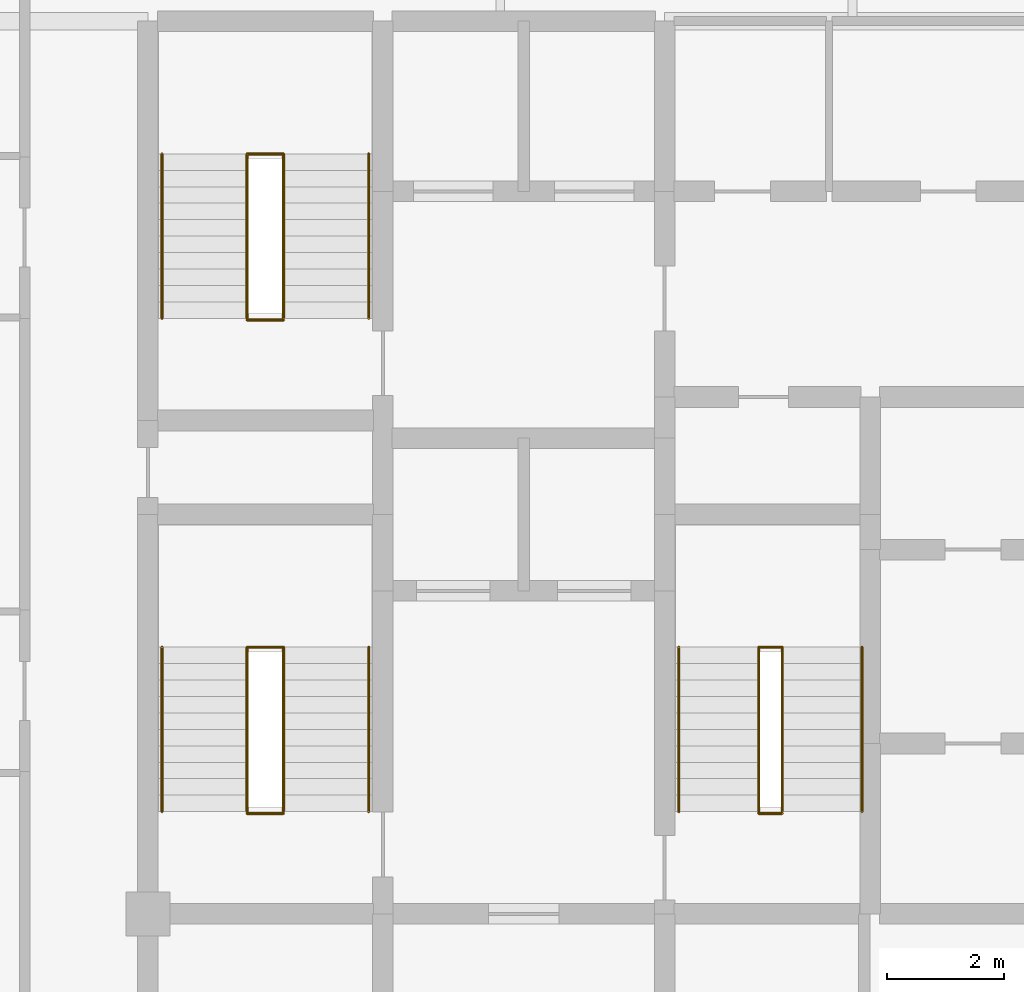
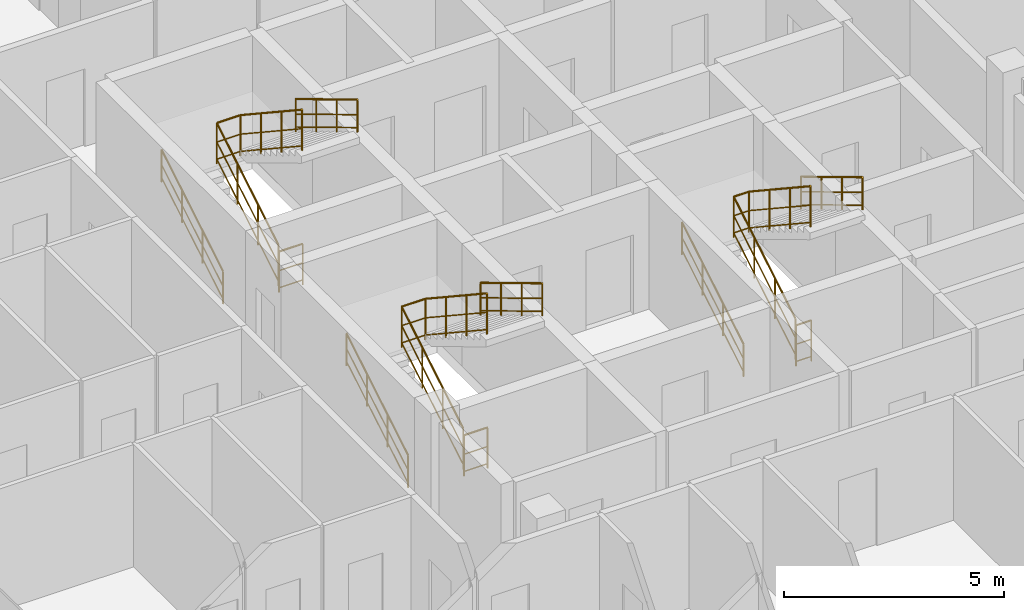
# One storey, part 29 of 29: 12 railings.
"""IFC4 building model written with IfcOpenShell, lengths in metres."""

from ifc_helpers import new_model, si_unit, direction, frame, origin, origin_2d, place, context, subcontext, project, spatial, circle, extrude, material, layer, layer_set, type_object, element, save


model = new_model("IFC4")

# Units and contexts
model_context = context("Model", 3, precision=1e-05, world=origin(), true_north=direction((0.0, 1.0)))
body_context = subcontext(model_context, "Body", "Model", "MODEL_VIEW")
ifc_project = project(units=[si_unit("LENGTHUNIT", "METRE"), si_unit("AREAUNIT", "SQUARE_METRE"), si_unit("VOLUMEUNIT", "CUBIC_METRE"), si_unit("PLANEANGLEUNIT", "RADIAN"), si_unit("MASSUNIT", "GRAM", prefix="KILO")], contexts=[model_context])

# Site, building, storey
site_placement = place(None, origin())
site = spatial("IfcSite", under=ifc_project, at=site_placement, CompositionType="ELEMENT")
building_placement = place(site_placement, origin())
building = spatial("IfcBuilding", under=site, at=building_placement, Name="Keshet Zoharim Tower", CompositionType="ELEMENT")
storey_placement = place(building_placement, frame((0.0, 0.0, 230.199951171875)))
storey = spatial("IfcBuildingStorey", under=building, at=storey_placement, Name="L57", CompositionType="ELEMENT", Elevation=230.199951171875)

# Railings
ifc_material = material(Name="Steel S355", Category="steel")
ifc_layer_1 = layer(ifc_material, 0.050048828125)
ifc_layer_set_1 = layer_set([ifc_layer_1], Name="Steel S355")
railing_type_1 = type_object("IfcRailingType", Name="RL-HND-092", PredefinedType="HANDRAIL", material=ifc_layer_set_1)
railing_1_placement = place(storey_placement, frame((15.239990234375, 24.43994140625, 0.168212890625)))
element("IfcRailing", 1, at=railing_1_placement, inside=storey, type_object=railing_type_1, Name="L57 ST-01 Flight 1 Wall Handrail", PredefinedType="HANDRAIL", context=body_context, shape_type="SweptSolid", body=[
    extrude(circle(Radius=0.02392578125, at=origin_2d()), frame((0.0, 0.0, 0.89599609375), z_axis=(0.0, 0.857242210791, 0.514913383045), x_axis=(-1.0, 0.0, 0.0)), (0.0, 0.0, 1.0), 3.266357421875),
    extrude(circle(Radius=0.01611328125, at=origin_2d()), frame((0.0, 0.0, 0.478271484375), z_axis=(0.0, 0.857242210791, 0.514913383045), x_axis=(-1.0, 0.0, 0.0)), (0.0, 0.0, 1.0), 3.266357421875),
    extrude(circle(Radius=0.01611328125, at=origin_2d()), frame((0.0, 0.0, 0.1201171875), z_axis=(0.0, 0.857242210791, 0.514913383045), x_axis=(-1.0, 0.0, 0.0)), (0.0, 0.0, 1.0), 3.266357421875),
    extrude(circle(Radius=0.02099609375, at=origin_2d()), origin(), (0.0, 0.0, 1.0), 0.871826171875),
    extrude(circle(Radius=0.02099609375, at=origin_2d()), frame((0.0, 0.933349609375, 0.560546875)), (0.0, 0.0, 1.0), 0.871826171875),
    extrude(circle(Radius=0.02099609375, at=origin_2d()), frame((0.0, 1.86669921875, 1.121337890625)), (0.0, 0.0, 1.0), 0.871826171875),
    extrude(circle(Radius=0.02099609375, at=origin_2d()), frame((0.0, 2.800048828125, 1.681884765625)), (0.0, 0.0, 1.0), 0.871826171875),
])
railing_2_placement = place(storey_placement, frame((18.760009765625, 27.239990234375, 2.018310546875)))
element("IfcRailing", 2, at=railing_2_placement, inside=storey, type_object=railing_type_1, Name="L57 ST-01 Flight 2 Wall Handrail", PredefinedType="HANDRAIL", context=body_context, shape_type="SweptSolid", body=[
    extrude(circle(Radius=0.02392578125, at=origin_2d()), frame((0.0, 0.0, 0.89599609375), z_axis=(0.0, -0.857275202839, 0.514858452973), x_axis=(1.0, 0.0, 0.0)), (0.0, 0.0, 1.0), 3.26611328125),
    extrude(circle(Radius=0.01611328125, at=origin_2d()), frame((0.0, 0.0, 0.478271484375), z_axis=(0.0, -0.857275202839, 0.514858452973), x_axis=(1.0, 0.0, 0.0)), (0.0, 0.0, 1.0), 3.26611328125),
    extrude(circle(Radius=0.01611328125, at=origin_2d()), frame((0.0, 0.0, 0.1201171875), z_axis=(0.0, -0.857275202839, 0.514858452973), x_axis=(1.0, 0.0, 0.0)), (0.0, 0.0, 1.0), 3.26611328125),
    extrude(circle(Radius=0.02099609375, at=origin_2d()), origin(), (0.0, 0.0, 1.0), 0.871826171875),
    extrude(circle(Radius=0.02099609375, at=origin_2d()), frame((0.0, -0.933349609375, 0.560546875)), (0.0, 0.0, 1.0), 0.871826171875),
    extrude(circle(Radius=0.02099609375, at=origin_2d()), frame((0.0, -1.86669921875, 1.12109375)), (0.0, 0.0, 1.0), 0.871826171875),
    extrude(circle(Radius=0.02099609375, at=origin_2d()), frame((0.0, -2.800048828125, 1.681640625)), (0.0, 0.0, 1.0), 0.871826171875),
])
railing_3_placement = place(storey_placement, frame((15.239990234375, 32.840087890625, 0.168212890625)))
element("IfcRailing", 3, at=railing_3_placement, inside=storey, type_object=railing_type_1, Name="L57 ST-02 Flight 1 Wall Handrail", PredefinedType="HANDRAIL", context=body_context, shape_type="SweptSolid", body=[
    extrude(circle(Radius=0.02392578125, at=origin_2d()), frame((0.0, 0.0, 0.89599609375), z_axis=(0.0, 0.857222391501, 0.514946377315), x_axis=(-1.0, 0.0, 0.0)), (0.0, 0.0, 1.0), 3.26611328125),
    extrude(circle(Radius=0.01611328125, at=origin_2d()), frame((0.0, 0.0, 0.478271484375), z_axis=(0.0, 0.857222391501, 0.514946377315), x_axis=(-1.0, 0.0, 0.0)), (0.0, 0.0, 1.0), 3.26611328125),
    extrude(circle(Radius=0.01611328125, at=origin_2d()), frame((0.0, 0.0, 0.1201171875), z_axis=(0.0, 0.857222391501, 0.514946377315), x_axis=(-1.0, 0.0, 0.0)), (0.0, 0.0, 1.0), 3.26611328125),
    extrude(circle(Radius=0.02099609375, at=origin_2d()), origin(), (0.0, 0.0, 1.0), 0.871826171875),
    extrude(circle(Radius=0.02099609375, at=origin_2d()), frame((0.0, 0.933349609375, 0.560546875)), (0.0, 0.0, 1.0), 0.871826171875),
    extrude(circle(Radius=0.02099609375, at=origin_2d()), frame((0.0, 1.866455078125, 1.121337890625)), (0.0, 0.0, 1.0), 0.871826171875),
    extrude(circle(Radius=0.02099609375, at=origin_2d()), frame((0.0, 2.7998046875, 1.681884765625)), (0.0, 0.0, 1.0), 0.871826171875),
])
railing_4_placement = place(storey_placement, frame((18.760009765625, 35.639892578125, 2.018310546875)))
element("IfcRailing", 4, at=railing_4_placement, inside=storey, type_object=railing_type_1, Name="L57 ST-02 Flight 2 Wall Handrail", PredefinedType="HANDRAIL", context=body_context, shape_type="SweptSolid", body=[
    extrude(circle(Radius=0.02392578125, at=origin_2d()), frame((0.0, 0.0, 0.89599609375), z_axis=(0.0, -0.857255387014, 0.514891446264), x_axis=(1.0, 0.0, 0.0)), (0.0, 0.0, 1.0), 3.26611328125),
    extrude(circle(Radius=0.01611328125, at=origin_2d()), frame((0.0, 0.0, 0.478271484375), z_axis=(0.0, -0.857255387014, 0.514891446264), x_axis=(1.0, 0.0, 0.0)), (0.0, 0.0, 1.0), 3.26611328125),
    extrude(circle(Radius=0.01611328125, at=origin_2d()), frame((0.0, 0.0, 0.1201171875), z_axis=(0.0, -0.857255387014, 0.514891446264), x_axis=(1.0, 0.0, 0.0)), (0.0, 0.0, 1.0), 3.26611328125),
    extrude(circle(Radius=0.02099609375, at=origin_2d()), origin(), (0.0, 0.0, 1.0), 0.871826171875),
    extrude(circle(Radius=0.02099609375, at=origin_2d()), frame((0.0, -0.933349609375, 0.560546875)), (0.0, 0.0, 1.0), 0.871826171875),
    extrude(circle(Radius=0.02099609375, at=origin_2d()), frame((0.0, -1.866455078125, 1.12109375)), (0.0, 0.0, 1.0), 0.871826171875),
    extrude(circle(Radius=0.02099609375, at=origin_2d()), frame((0.0, -2.7998046875, 1.681640625)), (0.0, 0.0, 1.0), 0.871826171875),
])
railing_5_placement = place(storey_placement, frame((24.0400390625, 24.43994140625, 0.168212890625)))
element("IfcRailing", 5, at=railing_5_placement, inside=storey, type_object=railing_type_1, Name="L57 ST-03 Flight 1 Wall Handrail", PredefinedType="HANDRAIL", context=body_context, shape_type="SweptSolid", body=[
    extrude(circle(Radius=0.02392578125, at=origin_2d()), frame((0.0, 0.0, 0.89599609375), z_axis=(0.0, 0.857242210791, 0.514913383045), x_axis=(-1.0, 0.0, 0.0)), (0.0, 0.0, 1.0), 3.266357421875),
    extrude(circle(Radius=0.01611328125, at=origin_2d()), frame((0.0, 0.0, 0.478271484375), z_axis=(0.0, 0.857242210791, 0.514913383045), x_axis=(-1.0, 0.0, 0.0)), (0.0, 0.0, 1.0), 3.266357421875),
    extrude(circle(Radius=0.01611328125, at=origin_2d()), frame((0.0, 0.0, 0.1201171875), z_axis=(0.0, 0.857242210791, 0.514913383045), x_axis=(-1.0, 0.0, 0.0)), (0.0, 0.0, 1.0), 3.266357421875),
    extrude(circle(Radius=0.02099609375, at=origin_2d()), origin(), (0.0, 0.0, 1.0), 0.871826171875),
    extrude(circle(Radius=0.02099609375, at=origin_2d()), frame((0.0, 0.933349609375, 0.560546875)), (0.0, 0.0, 1.0), 0.871826171875),
    extrude(circle(Radius=0.02099609375, at=origin_2d()), frame((0.0, 1.86669921875, 1.121337890625)), (0.0, 0.0, 1.0), 0.871826171875),
    extrude(circle(Radius=0.02099609375, at=origin_2d()), frame((0.0, 2.800048828125, 1.681884765625)), (0.0, 0.0, 1.0), 0.871826171875),
])
railing_6_placement = place(storey_placement, frame((27.159912109375, 27.239990234375, 2.018310546875)))
element("IfcRailing", 6, at=railing_6_placement, inside=storey, type_object=railing_type_1, Name="L57 ST-03 Flight 2 Wall Handrail", PredefinedType="HANDRAIL", context=body_context, shape_type="SweptSolid", body=[
    extrude(circle(Radius=0.02392578125, at=origin_2d()), frame((0.0, 0.0, 0.89599609375), z_axis=(0.0, -0.857275202839, 0.514858452973), x_axis=(1.0, 0.0, 0.0)), (0.0, 0.0, 1.0), 3.26611328125),
    extrude(circle(Radius=0.01611328125, at=origin_2d()), frame((0.0, 0.0, 0.478271484375), z_axis=(0.0, -0.857275202839, 0.514858452973), x_axis=(1.0, 0.0, 0.0)), (0.0, 0.0, 1.0), 3.26611328125),
    extrude(circle(Radius=0.01611328125, at=origin_2d()), frame((0.0, 0.0, 0.1201171875), z_axis=(0.0, -0.857275202839, 0.514858452973), x_axis=(1.0, 0.0, 0.0)), (0.0, 0.0, 1.0), 3.26611328125),
    extrude(circle(Radius=0.02099609375, at=origin_2d()), origin(), (0.0, 0.0, 1.0), 0.871826171875),
    extrude(circle(Radius=0.02099609375, at=origin_2d()), frame((0.0, -0.933349609375, 0.560546875)), (0.0, 0.0, 1.0), 0.871826171875),
    extrude(circle(Radius=0.02099609375, at=origin_2d()), frame((0.0, -1.86669921875, 1.12109375)), (0.0, 0.0, 1.0), 0.871826171875),
    extrude(circle(Radius=0.02099609375, at=origin_2d()), frame((0.0, -2.800048828125, 1.681640625)), (0.0, 0.0, 1.0), 0.871826171875),
])
ifc_layer_2 = layer(ifc_material, 0.06005859375)
ifc_layer_set_2 = layer_set([ifc_layer_2], Name="Steel S355")
railing_type_2 = type_object("IfcRailingType", Name="RL-STG-115", PredefinedType="GUARDRAIL", material=ifc_layer_set_2)
railing_7_placement = place(storey_placement, frame((16.68994140625, 24.43994140625, 0.168212890625)))
element("IfcRailing", 7, at=railing_7_placement, inside=storey, type_object=railing_type_2, Name="L57 ST-01 Inner Well Guardrail", PredefinedType="GUARDRAIL", context=body_context, shape_type="SweptSolid", body=[
    extrude(circle(Radius=0.02392578125, at=origin_2d()), frame((0.0, 0.0, 1.1259765625), z_axis=(0.0, 0.857242210791, 0.514913383045), x_axis=(-1.0, 0.0, 0.0)), (0.0, 0.0, 1.0), 3.266357421875),
    extrude(circle(Radius=0.01611328125, at=origin_2d()), frame((0.0, 0.0, 0.597900390625), z_axis=(0.0, 0.857242210791, 0.514913383045), x_axis=(-1.0, 0.0, 0.0)), (0.0, 0.0, 1.0), 3.266357421875),
    extrude(circle(Radius=0.01611328125, at=origin_2d()), frame((0.0, 0.0, 0.1201171875), z_axis=(0.0, 0.857242210791, 0.514913383045), x_axis=(-1.0, 0.0, 0.0)), (0.0, 0.0, 1.0), 3.266357421875),
    extrude(circle(Radius=0.02392578125, at=origin_2d()), frame((0.0, 2.800048828125, 2.8076171875), z_axis=(1.0, 0.0, 0.0), x_axis=(0.0, 1.0, 0.0)), (0.0, 0.0, 1.0), 0.6201171875),
    extrude(circle(Radius=0.01611328125, at=origin_2d()), frame((0.0, 2.800048828125, 2.27978515625), z_axis=(1.0, 0.0, 0.0), x_axis=(0.0, 1.0, 0.0)), (0.0, 0.0, 1.0), 0.6201171875),
    extrude(circle(Radius=0.01611328125, at=origin_2d()), frame((0.0, 2.800048828125, 1.802001953125), z_axis=(1.0, 0.0, 0.0), x_axis=(0.0, 1.0, 0.0)), (0.0, 0.0, 1.0), 0.6201171875),
    extrude(circle(Radius=0.02392578125, at=origin_2d()), frame((0.6201171875, 2.800048828125, 2.8076171875), z_axis=(0.0, -0.83435981716, 0.551220187865), x_axis=(1.0, 0.0, 0.0)), (0.0, 0.0, 1.0), 3.35595703125),
    extrude(circle(Radius=0.01611328125, at=origin_2d()), frame((0.6201171875, 2.800048828125, 2.27978515625), z_axis=(0.0, -0.83435981716, 0.551220187865), x_axis=(1.0, 0.0, 0.0)), (0.0, 0.0, 1.0), 3.35595703125),
    extrude(circle(Radius=0.01611328125, at=origin_2d()), frame((0.6201171875, 2.800048828125, 1.802001953125), z_axis=(0.0, -0.83435981716, 0.551220187865), x_axis=(1.0, 0.0, 0.0)), (0.0, 0.0, 1.0), 3.35595703125),
    extrude(circle(Radius=0.02099609375, at=origin_2d()), origin(), (0.0, 0.0, 1.0), 1.101806640625),
    extrude(circle(Radius=0.02099609375, at=origin_2d()), frame((0.0, 0.933349609375, 0.560546875)), (0.0, 0.0, 1.0), 1.101806640625),
    extrude(circle(Radius=0.02099609375, at=origin_2d()), frame((0.0, 1.86669921875, 1.121337890625)), (0.0, 0.0, 1.0), 1.101806640625),
    extrude(circle(Radius=0.02099609375, at=origin_2d()), frame((0.0, 2.800048828125, 1.681884765625)), (0.0, 0.0, 1.0), 1.101806640625),
    extrude(circle(Radius=0.02099609375, at=origin_2d()), frame((0.6201171875, 2.800048828125, 1.681884765625)), (0.0, 0.0, 1.0), 1.101806640625),
    extrude(circle(Radius=0.02099609375, at=origin_2d()), frame((0.6201171875, 1.86669921875, 2.298583984375)), (0.0, 0.0, 1.0), 1.101806640625),
    extrude(circle(Radius=0.02099609375, at=origin_2d()), frame((0.6201171875, 0.933349609375, 2.9150390625)), (0.0, 0.0, 1.0), 1.101806640625),
    extrude(circle(Radius=0.02099609375, at=origin_2d()), frame((0.6201171875, 0.0, 3.53173828125)), (0.0, 0.0, 1.0), 1.101806640625),
])
railing_8_placement = place(storey_placement, frame((16.68994140625, 24.409912109375, 0.0)))
element("IfcRailing", 8, at=railing_8_placement, inside=storey, type_object=railing_type_2, Name="L57 ST-01 Stairwell Floor Guardrail", PredefinedType="GUARDRAIL", context=body_context, shape_type="SweptSolid", body=[
    extrude(circle(Radius=0.02392578125, at=origin_2d()), frame((0.0, 0.0, 1.1259765625), z_axis=(1.0, 0.0, 0.0), x_axis=(0.0, 1.0, 0.0)), (0.0, 0.0, 1.0), 0.6201171875),
    extrude(circle(Radius=0.01611328125, at=origin_2d()), frame((0.0, 0.0, 0.597900390625), z_axis=(1.0, 0.0, 0.0), x_axis=(0.0, 1.0, 0.0)), (0.0, 0.0, 1.0), 0.6201171875),
    extrude(circle(Radius=0.01611328125, at=origin_2d()), frame((0.0, 0.0, 0.1201171875), z_axis=(1.0, 0.0, 0.0), x_axis=(0.0, 1.0, 0.0)), (0.0, 0.0, 1.0), 0.6201171875),
    extrude(circle(Radius=0.02099609375, at=origin_2d()), origin(), (0.0, 0.0, 1.0), 1.101806640625),
    extrude(circle(Radius=0.02099609375, at=origin_2d()), frame((0.6201171875, 0.0, 0.0)), (0.0, 0.0, 1.0), 1.101806640625),
])
railing_9_placement = place(storey_placement, frame((16.68994140625, 32.840087890625, 0.168212890625)))
element("IfcRailing", 9, at=railing_9_placement, inside=storey, type_object=railing_type_2, Name="L57 ST-02 Inner Well Guardrail", PredefinedType="GUARDRAIL", context=body_context, shape_type="SweptSolid", body=[
    extrude(circle(Radius=0.02392578125, at=origin_2d()), frame((0.0, 0.0, 1.1259765625), z_axis=(0.0, 0.857222391501, 0.514946377315), x_axis=(-1.0, 0.0, 0.0)), (0.0, 0.0, 1.0), 3.26611328125),
    extrude(circle(Radius=0.01611328125, at=origin_2d()), frame((0.0, 0.0, 0.597900390625), z_axis=(0.0, 0.857222391501, 0.514946377315), x_axis=(-1.0, 0.0, 0.0)), (0.0, 0.0, 1.0), 3.26611328125),
    extrude(circle(Radius=0.01611328125, at=origin_2d()), frame((0.0, 0.0, 0.1201171875), z_axis=(0.0, 0.857222391501, 0.514946377315), x_axis=(-1.0, 0.0, 0.0)), (0.0, 0.0, 1.0), 3.26611328125),
    extrude(circle(Radius=0.02392578125, at=origin_2d()), frame((0.0, 2.7998046875, 2.8076171875), z_axis=(1.0, 0.0, 0.0), x_axis=(0.0, 1.0, 0.0)), (0.0, 0.0, 1.0), 0.6201171875),
    extrude(circle(Radius=0.01611328125, at=origin_2d()), frame((0.0, 2.7998046875, 2.27978515625), z_axis=(1.0, 0.0, 0.0), x_axis=(0.0, 1.0, 0.0)), (0.0, 0.0, 1.0), 0.6201171875),
    extrude(circle(Radius=0.01611328125, at=origin_2d()), frame((0.0, 2.7998046875, 1.802001953125), z_axis=(1.0, 0.0, 0.0), x_axis=(0.0, 1.0, 0.0)), (0.0, 0.0, 1.0), 0.6201171875),
    extrude(circle(Radius=0.02392578125, at=origin_2d()), frame((0.6201171875, 2.7998046875, 2.8076171875), z_axis=(0.0, -0.834337710781, 0.551253647941), x_axis=(1.0, 0.0, 0.0)), (0.0, 0.0, 1.0), 3.355712890625),
    extrude(circle(Radius=0.01611328125, at=origin_2d()), frame((0.6201171875, 2.7998046875, 2.27978515625), z_axis=(0.0, -0.834337710781, 0.551253647941), x_axis=(1.0, 0.0, 0.0)), (0.0, 0.0, 1.0), 3.355712890625),
    extrude(circle(Radius=0.01611328125, at=origin_2d()), frame((0.6201171875, 2.7998046875, 1.802001953125), z_axis=(0.0, -0.834337710781, 0.551253647941), x_axis=(1.0, 0.0, 0.0)), (0.0, 0.0, 1.0), 3.355712890625),
    extrude(circle(Radius=0.02099609375, at=origin_2d()), origin(), (0.0, 0.0, 1.0), 1.101806640625),
    extrude(circle(Radius=0.02099609375, at=origin_2d()), frame((0.0, 0.933349609375, 0.560546875)), (0.0, 0.0, 1.0), 1.101806640625),
    extrude(circle(Radius=0.02099609375, at=origin_2d()), frame((0.0, 1.866455078125, 1.121337890625)), (0.0, 0.0, 1.0), 1.101806640625),
    extrude(circle(Radius=0.02099609375, at=origin_2d()), frame((0.0, 2.7998046875, 1.681884765625)), (0.0, 0.0, 1.0), 1.101806640625),
    extrude(circle(Radius=0.02099609375, at=origin_2d()), frame((0.6201171875, 2.7998046875, 1.681884765625)), (0.0, 0.0, 1.0), 1.101806640625),
    extrude(circle(Radius=0.02099609375, at=origin_2d()), frame((0.6201171875, 1.866455078125, 2.298583984375)), (0.0, 0.0, 1.0), 1.101806640625),
    extrude(circle(Radius=0.02099609375, at=origin_2d()), frame((0.6201171875, 0.933349609375, 2.9150390625)), (0.0, 0.0, 1.0), 1.101806640625),
    extrude(circle(Radius=0.02099609375, at=origin_2d()), frame((0.6201171875, 0.0, 3.53173828125)), (0.0, 0.0, 1.0), 1.101806640625),
])
railing_10_placement = place(storey_placement, frame((16.68994140625, 32.81005859375, 0.0)))
element("IfcRailing", 10, at=railing_10_placement, inside=storey, type_object=railing_type_2, Name="L57 ST-02 Stairwell Floor Guardrail", PredefinedType="GUARDRAIL", context=body_context, shape_type="SweptSolid", body=[
    extrude(circle(Radius=0.02392578125, at=origin_2d()), frame((0.0, 0.0, 1.1259765625), z_axis=(1.0, 0.0, 0.0), x_axis=(0.0, 1.0, 0.0)), (0.0, 0.0, 1.0), 0.6201171875),
    extrude(circle(Radius=0.01611328125, at=origin_2d()), frame((0.0, 0.0, 0.597900390625), z_axis=(1.0, 0.0, 0.0), x_axis=(0.0, 1.0, 0.0)), (0.0, 0.0, 1.0), 0.6201171875),
    extrude(circle(Radius=0.01611328125, at=origin_2d()), frame((0.0, 0.0, 0.1201171875), z_axis=(1.0, 0.0, 0.0), x_axis=(0.0, 1.0, 0.0)), (0.0, 0.0, 1.0), 0.6201171875),
    extrude(circle(Radius=0.02099609375, at=origin_2d()), origin(), (0.0, 0.0, 1.0), 1.101806640625),
    extrude(circle(Radius=0.02099609375, at=origin_2d()), frame((0.6201171875, 0.0, 0.0)), (0.0, 0.0, 1.0), 1.101806640625),
])
railing_11_placement = place(storey_placement, frame((25.39990234375, 24.43994140625, 0.168212890625)))
element("IfcRailing", 11, at=railing_11_placement, inside=storey, type_object=railing_type_2, Name="L57 ST-03 Inner Well Guardrail", PredefinedType="GUARDRAIL", context=body_context, shape_type="SweptSolid", body=[
    extrude(circle(Radius=0.02392578125, at=origin_2d()), frame((0.0, 0.0, 1.1259765625), z_axis=(0.0, 0.857242210791, 0.514913383045), x_axis=(-1.0, 0.0, 0.0)), (0.0, 0.0, 1.0), 3.266357421875),
    extrude(circle(Radius=0.01611328125, at=origin_2d()), frame((0.0, 0.0, 0.597900390625), z_axis=(0.0, 0.857242210791, 0.514913383045), x_axis=(-1.0, 0.0, 0.0)), (0.0, 0.0, 1.0), 3.266357421875),
    extrude(circle(Radius=0.01611328125, at=origin_2d()), frame((0.0, 0.0, 0.1201171875), z_axis=(0.0, 0.857242210791, 0.514913383045), x_axis=(-1.0, 0.0, 0.0)), (0.0, 0.0, 1.0), 3.266357421875),
    extrude(circle(Radius=0.02392578125, at=origin_2d()), frame((0.0, 2.800048828125, 2.8076171875), z_axis=(1.0, 0.0, 0.0), x_axis=(0.0, 1.0, 0.0)), (0.0, 0.0, 1.0), 0.400146484375),
    extrude(circle(Radius=0.01611328125, at=origin_2d()), frame((0.0, 2.800048828125, 2.27978515625), z_axis=(1.0, 0.0, 0.0), x_axis=(0.0, 1.0, 0.0)), (0.0, 0.0, 1.0), 0.400146484375),
    extrude(circle(Radius=0.01611328125, at=origin_2d()), frame((0.0, 2.800048828125, 1.802001953125), z_axis=(1.0, 0.0, 0.0), x_axis=(0.0, 1.0, 0.0)), (0.0, 0.0, 1.0), 0.400146484375),
    extrude(circle(Radius=0.02392578125, at=origin_2d()), frame((0.400146484375, 2.800048828125, 2.8076171875), z_axis=(0.0, -0.83435981716, 0.551220187865), x_axis=(1.0, 0.0, 0.0)), (0.0, 0.0, 1.0), 3.35595703125),
    extrude(circle(Radius=0.01611328125, at=origin_2d()), frame((0.400146484375, 2.800048828125, 2.27978515625), z_axis=(0.0, -0.83435981716, 0.551220187865), x_axis=(1.0, 0.0, 0.0)), (0.0, 0.0, 1.0), 3.35595703125),
    extrude(circle(Radius=0.01611328125, at=origin_2d()), frame((0.400146484375, 2.800048828125, 1.802001953125), z_axis=(0.0, -0.83435981716, 0.551220187865), x_axis=(1.0, 0.0, 0.0)), (0.0, 0.0, 1.0), 3.35595703125),
    extrude(circle(Radius=0.02099609375, at=origin_2d()), origin(), (0.0, 0.0, 1.0), 1.101806640625),
    extrude(circle(Radius=0.02099609375, at=origin_2d()), frame((0.0, 0.933349609375, 0.560546875)), (0.0, 0.0, 1.0), 1.101806640625),
    extrude(circle(Radius=0.02099609375, at=origin_2d()), frame((0.0, 1.86669921875, 1.121337890625)), (0.0, 0.0, 1.0), 1.101806640625),
    extrude(circle(Radius=0.02099609375, at=origin_2d()), frame((0.0, 2.800048828125, 1.681884765625)), (0.0, 0.0, 1.0), 1.101806640625),
    extrude(circle(Radius=0.02099609375, at=origin_2d()), frame((0.400146484375, 2.800048828125, 1.681884765625)), (0.0, 0.0, 1.0), 1.101806640625),
    extrude(circle(Radius=0.02099609375, at=origin_2d()), frame((0.400146484375, 1.86669921875, 2.298583984375)), (0.0, 0.0, 1.0), 1.101806640625),
    extrude(circle(Radius=0.02099609375, at=origin_2d()), frame((0.400146484375, 0.933349609375, 2.9150390625)), (0.0, 0.0, 1.0), 1.101806640625),
    extrude(circle(Radius=0.02099609375, at=origin_2d()), frame((0.400146484375, 0.0, 3.53173828125)), (0.0, 0.0, 1.0), 1.101806640625),
])
railing_12_placement = place(storey_placement, frame((25.39990234375, 24.409912109375, 0.0)))
element("IfcRailing", 12, at=railing_12_placement, inside=storey, type_object=railing_type_2, Name="L57 ST-03 Stairwell Floor Guardrail", PredefinedType="GUARDRAIL", context=body_context, shape_type="SweptSolid", body=[
    extrude(circle(Radius=0.02392578125, at=origin_2d()), frame((0.0, 0.0, 1.1259765625), z_axis=(1.0, 0.0, 0.0), x_axis=(0.0, 1.0, 0.0)), (0.0, 0.0, 1.0), 0.400146484375),
    extrude(circle(Radius=0.01611328125, at=origin_2d()), frame((0.0, 0.0, 0.597900390625), z_axis=(1.0, 0.0, 0.0), x_axis=(0.0, 1.0, 0.0)), (0.0, 0.0, 1.0), 0.400146484375),
    extrude(circle(Radius=0.01611328125, at=origin_2d()), frame((0.0, 0.0, 0.1201171875), z_axis=(1.0, 0.0, 0.0), x_axis=(0.0, 1.0, 0.0)), (0.0, 0.0, 1.0), 0.400146484375),
    extrude(circle(Radius=0.02099609375, at=origin_2d()), origin(), (0.0, 0.0, 1.0), 1.101806640625),
    extrude(circle(Radius=0.02099609375, at=origin_2d()), frame((0.400146484375, 0.0, 0.0)), (0.0, 0.0, 1.0), 1.101806640625),
])

save(model, "model.ifc")
